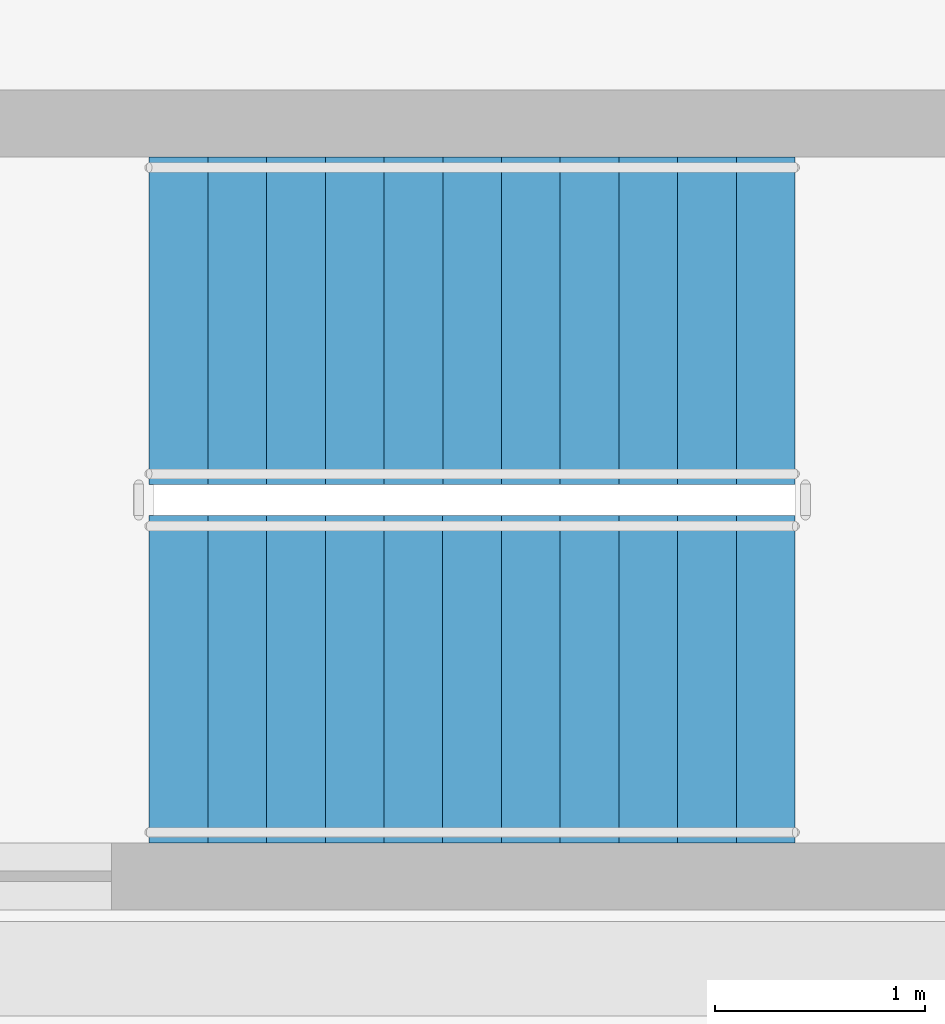
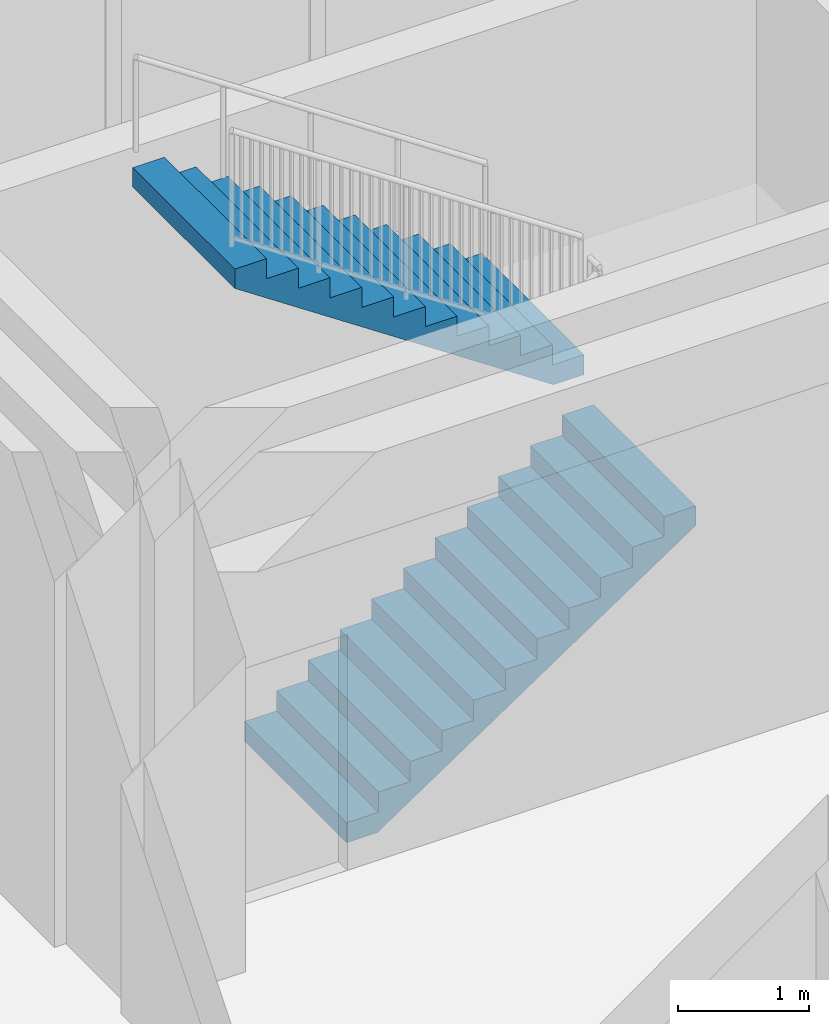
# One storey, part 64 of 79: 2 stair flights, 1 element without a shape of its own.
"""IFC4 building model written with IfcOpenShell, lengths in metres."""

from ifc_helpers import new_model, si_unit, direction, frame, origin, place, context, subcontext, project, spatial, polygons, material, type_object, element, aggregate, save


model = new_model("IFC4")

# Units and contexts
model_context = context("Model", 3, precision=1e-05, world=origin(), true_north=direction((0.0, 1.0)))
body_context = subcontext(model_context, "Body", "Model", "MODEL_VIEW")
ifc_project = project(units=[si_unit("LENGTHUNIT", "METRE"), si_unit("AREAUNIT", "SQUARE_METRE"), si_unit("VOLUMEUNIT", "CUBIC_METRE"), si_unit("PLANEANGLEUNIT", "RADIAN"), si_unit("MASSUNIT", "GRAM", prefix="KILO")], contexts=[model_context])

# Site, building, storey
site_placement = place(None, origin())
site = spatial("IfcSite", under=ifc_project, at=site_placement, CompositionType="ELEMENT")
building_placement = place(site_placement, origin())
building = spatial("IfcBuilding", under=site, at=building_placement, Name="Zantavel Square City Hall", CompositionType="ELEMENT")
storey_placement = place(building_placement, frame((0.0, 0.0, 10.199951171875)))
storey = spatial("IfcBuildingStorey", under=building, at=storey_placement, Name="L03", CompositionType="ELEMENT", Elevation=10.199951171875)

# Stair, stair flights
ifc_material = material(Name="Concrete C35/45", Category="concrete")
stair_type = type_object("IfcStairType", Name="Enclosed Core Dogleg Stair L03 H4500", PredefinedType="HALF_TURN_STAIR", material=ifc_material)
stair_placement = place(storey_placement, origin())
stair = element("IfcStair", 1, at=stair_placement, inside=storey, type_object=stair_type, Name="L03 Exit Stair 5 Central West Core", PredefinedType="HALF_TURN_STAIR")
stair_flight_type = type_object("IfcStairFlightType", Name="Enclosed Core Stair Flight L03 W1560", PredefinedType="STRAIGHT", material=ifc_material)
stair_flight_1_placement = place(storey_placement, frame((66.030029296875, 62.179931640625, 0.0), z_axis=(0.0, 0.0, 1.0), x_axis=(1.0, 0.0, 0.0)))
stair_flight_1 = element("IfcStairFlight", 2, at=stair_flight_1_placement, type_object=stair_flight_type, Name="ST5 flight 1", NumberOfRisers=12, NumberOfTreads=11, PredefinedType="STRAIGHT", RiserHeight=0.1875, TreadLength=0.28, context=body_context, shape_type="Tessellation", body=[
    polygons([(0.26953125, -0.780029296875, 0.0), (3.080078125, -0.780029296875, 1.882080078125), (3.080078125, -0.780029296875, 2.0625), (2.800048828125, -0.780029296875, 2.0625), (2.800048828125, -0.780029296875, 1.875), (2.52001953125, -0.780029296875, 1.875), (2.52001953125, -0.780029296875, 1.6875), (2.239990234375, -0.780029296875, 1.6875), (2.239990234375, -0.780029296875, 1.5), (1.9599609375, -0.780029296875, 1.5), (1.9599609375, -0.780029296875, 1.3125), (1.679931640625, -0.780029296875, 1.3125), (1.679931640625, -0.780029296875, 1.125), (1.39990234375, -0.780029296875, 1.125), (1.39990234375, -0.780029296875, 0.9375), (1.1201171875, -0.780029296875, 0.9375), (1.1201171875, -0.780029296875, 0.75), (0.840087890625, -0.780029296875, 0.75), (0.840087890625, -0.780029296875, 0.5625), (0.56005859375, -0.780029296875, 0.5625), (0.56005859375, -0.780029296875, 0.375), (0.280029296875, -0.780029296875, 0.375), (0.280029296875, -0.780029296875, 0.1875), (0.0, -0.780029296875, 0.1875), (0.0, -0.780029296875, 0.0), (0.26953125, -0.5849609375, 0.0), (3.080078125, -0.5849609375, 1.882080078125), (3.080078125, -0.5849609375, 2.0625), (2.800048828125, -0.5849609375, 2.0625), (2.800048828125, -0.5849609375, 1.875), (2.52001953125, -0.5849609375, 1.875), (2.52001953125, -0.5849609375, 1.6875), (2.239990234375, -0.5849609375, 1.6875), (2.239990234375, -0.5849609375, 1.5), (1.9599609375, -0.5849609375, 1.5), (1.9599609375, -0.5849609375, 1.3125), (1.679931640625, -0.5849609375, 1.3125), (1.679931640625, -0.5849609375, 1.125), (1.39990234375, -0.5849609375, 1.125), (1.39990234375, -0.5849609375, 0.9375), (1.1201171875, -0.5849609375, 0.9375), (1.1201171875, -0.5849609375, 0.75), (0.840087890625, -0.5849609375, 0.75), (0.840087890625, -0.5849609375, 0.5625), (0.56005859375, -0.5849609375, 0.5625), (0.56005859375, -0.5849609375, 0.375), (0.280029296875, -0.5849609375, 0.375), (0.280029296875, -0.5849609375, 0.1875), (0.0, -0.5849609375, 0.1875), (0.0, -0.5849609375, 0.0), (0.26953125, -0.39013671875, 0.0), (3.080078125, -0.39013671875, 1.882080078125), (3.080078125, -0.39013671875, 2.0625), (2.800048828125, -0.39013671875, 2.0625), (2.800048828125, -0.39013671875, 1.875), (2.52001953125, -0.39013671875, 1.875), (2.52001953125, -0.39013671875, 1.6875), (2.239990234375, -0.39013671875, 1.6875), (2.239990234375, -0.39013671875, 1.5), (1.9599609375, -0.39013671875, 1.5), (1.9599609375, -0.39013671875, 1.3125), (1.679931640625, -0.39013671875, 1.3125), (1.679931640625, -0.39013671875, 1.125), (1.39990234375, -0.39013671875, 1.125), (1.39990234375, -0.39013671875, 0.9375), (1.1201171875, -0.39013671875, 0.9375), (1.1201171875, -0.39013671875, 0.75), (0.840087890625, -0.39013671875, 0.75), (0.840087890625, -0.39013671875, 0.5625), (0.56005859375, -0.39013671875, 0.5625), (0.56005859375, -0.39013671875, 0.375), (0.280029296875, -0.39013671875, 0.375), (0.280029296875, -0.39013671875, 0.1875), (0.0, -0.39013671875, 0.1875), (0.0, -0.39013671875, 0.0), (0.26953125, -0.195068359375, 0.0), (3.080078125, -0.195068359375, 1.882080078125), (3.080078125, -0.195068359375, 2.0625), (2.800048828125, -0.195068359375, 2.0625), (2.800048828125, -0.195068359375, 1.875), (2.52001953125, -0.195068359375, 1.875), (2.52001953125, -0.195068359375, 1.6875), (2.239990234375, -0.195068359375, 1.6875), (2.239990234375, -0.195068359375, 1.5), (1.9599609375, -0.195068359375, 1.5), (1.9599609375, -0.195068359375, 1.3125), (1.679931640625, -0.195068359375, 1.3125), (1.679931640625, -0.195068359375, 1.125), (1.39990234375, -0.195068359375, 1.125), (1.39990234375, -0.195068359375, 0.9375), (1.1201171875, -0.195068359375, 0.9375), (1.1201171875, -0.195068359375, 0.75), (0.840087890625, -0.195068359375, 0.75), (0.840087890625, -0.195068359375, 0.5625), (0.56005859375, -0.195068359375, 0.5625), (0.56005859375, -0.195068359375, 0.375), (0.280029296875, -0.195068359375, 0.375), (0.280029296875, -0.195068359375, 0.1875), (0.0, -0.195068359375, 0.1875), (0.0, -0.195068359375, 0.0), (0.26953125, 0.0, 0.0), (3.080078125, 0.0, 1.882080078125), (3.080078125, 0.0, 2.0625), (2.800048828125, 0.0, 2.0625), (2.800048828125, 0.0, 1.875), (2.52001953125, 0.0, 1.875), (2.52001953125, 0.0, 1.6875), (2.239990234375, 0.0, 1.6875), (2.239990234375, 0.0, 1.5), (1.9599609375, 0.0, 1.5), (1.9599609375, 0.0, 1.3125), (1.679931640625, 0.0, 1.3125), (1.679931640625, 0.0, 1.125), (1.39990234375, 0.0, 1.125), (1.39990234375, 0.0, 0.9375), (1.1201171875, 0.0, 0.9375), (1.1201171875, 0.0, 0.75), (0.840087890625, 0.0, 0.75), (0.840087890625, 0.0, 0.5625), (0.56005859375, 0.0, 0.5625), (0.56005859375, 0.0, 0.375), (0.280029296875, 0.0, 0.375), (0.280029296875, 0.0, 0.1875), (0.0, 0.0, 0.1875), (0.0, 0.0, 0.0), (0.26953125, 0.195068359375, 0.0), (3.080078125, 0.195068359375, 1.882080078125), (3.080078125, 0.195068359375, 2.0625), (2.800048828125, 0.195068359375, 2.0625), (2.800048828125, 0.195068359375, 1.875), (2.52001953125, 0.195068359375, 1.875), (2.52001953125, 0.195068359375, 1.6875), (2.239990234375, 0.195068359375, 1.6875), (2.239990234375, 0.195068359375, 1.5), (1.9599609375, 0.195068359375, 1.5), (1.9599609375, 0.195068359375, 1.3125), (1.679931640625, 0.195068359375, 1.3125), (1.679931640625, 0.195068359375, 1.125), (1.39990234375, 0.195068359375, 1.125), (1.39990234375, 0.195068359375, 0.9375), (1.1201171875, 0.195068359375, 0.9375), (1.1201171875, 0.195068359375, 0.75), (0.840087890625, 0.195068359375, 0.75), (0.840087890625, 0.195068359375, 0.5625), (0.56005859375, 0.195068359375, 0.5625), (0.56005859375, 0.195068359375, 0.375), (0.280029296875, 0.195068359375, 0.375), (0.280029296875, 0.195068359375, 0.1875), (0.0, 0.195068359375, 0.1875), (0.0, 0.195068359375, 0.0), (0.26953125, 0.39013671875, 0.0), (3.080078125, 0.39013671875, 1.882080078125), (3.080078125, 0.39013671875, 2.0625), (2.800048828125, 0.39013671875, 2.0625), (2.800048828125, 0.39013671875, 1.875), (2.52001953125, 0.39013671875, 1.875), (2.52001953125, 0.39013671875, 1.6875), (2.239990234375, 0.39013671875, 1.6875), (2.239990234375, 0.39013671875, 1.5), (1.9599609375, 0.39013671875, 1.5), (1.9599609375, 0.39013671875, 1.3125), (1.679931640625, 0.39013671875, 1.3125), (1.679931640625, 0.39013671875, 1.125), (1.39990234375, 0.39013671875, 1.125), (1.39990234375, 0.39013671875, 0.9375), (1.1201171875, 0.39013671875, 0.9375), (1.1201171875, 0.39013671875, 0.75), (0.840087890625, 0.39013671875, 0.75), (0.840087890625, 0.39013671875, 0.5625), (0.56005859375, 0.39013671875, 0.5625), (0.56005859375, 0.39013671875, 0.375), (0.280029296875, 0.39013671875, 0.375), (0.280029296875, 0.39013671875, 0.1875), (0.0, 0.39013671875, 0.1875), (0.0, 0.39013671875, 0.0), (0.26953125, 0.5849609375, 0.0), (3.080078125, 0.5849609375, 1.882080078125), (3.080078125, 0.5849609375, 2.0625), (2.800048828125, 0.5849609375, 2.0625), (2.800048828125, 0.5849609375, 1.875), (2.52001953125, 0.5849609375, 1.875), (2.52001953125, 0.5849609375, 1.6875), (2.239990234375, 0.5849609375, 1.6875), (2.239990234375, 0.5849609375, 1.5), (1.9599609375, 0.5849609375, 1.5), (1.9599609375, 0.5849609375, 1.3125), (1.679931640625, 0.5849609375, 1.3125), (1.679931640625, 0.5849609375, 1.125), (1.39990234375, 0.5849609375, 1.125), (1.39990234375, 0.5849609375, 0.9375), (1.1201171875, 0.5849609375, 0.9375), (1.1201171875, 0.5849609375, 0.75), (0.840087890625, 0.5849609375, 0.75), (0.840087890625, 0.5849609375, 0.5625), (0.56005859375, 0.5849609375, 0.5625), (0.56005859375, 0.5849609375, 0.375), (0.280029296875, 0.5849609375, 0.375), (0.280029296875, 0.5849609375, 0.1875), (0.0, 0.5849609375, 0.1875), (0.0, 0.5849609375, 0.0), (0.26953125, 0.780029296875, 0.0), (3.080078125, 0.780029296875, 1.882080078125), (3.080078125, 0.780029296875, 2.0625), (2.800048828125, 0.780029296875, 2.0625), (2.800048828125, 0.780029296875, 1.875), (2.52001953125, 0.780029296875, 1.875), (2.52001953125, 0.780029296875, 1.6875), (2.239990234375, 0.780029296875, 1.6875), (2.239990234375, 0.780029296875, 1.5), (1.9599609375, 0.780029296875, 1.5), (1.9599609375, 0.780029296875, 1.3125), (1.679931640625, 0.780029296875, 1.3125), (1.679931640625, 0.780029296875, 1.125), (1.39990234375, 0.780029296875, 1.125), (1.39990234375, 0.780029296875, 0.9375), (1.1201171875, 0.780029296875, 0.9375), (1.1201171875, 0.780029296875, 0.75), (0.840087890625, 0.780029296875, 0.75), (0.840087890625, 0.780029296875, 0.5625), (0.56005859375, 0.780029296875, 0.5625), (0.56005859375, 0.780029296875, 0.375), (0.280029296875, 0.780029296875, 0.375), (0.280029296875, 0.780029296875, 0.1875), (0.0, 0.780029296875, 0.1875), (0.0, 0.780029296875, 0.0)], [[[1, 2, 3, 4, 5, 6, 7, 8, 9, 10, 11, 12, 13, 14, 15, 16, 17, 18, 19, 20, 21, 22, 23, 24, 25]], [[225, 224, 223, 222, 221, 220, 219, 218, 217, 216, 215, 214, 213, 212, 211, 210, 209, 208, 207, 206, 205, 204, 203, 202, 201]], [[1, 26, 27]], [[1, 27, 2]], [[2, 27, 28]], [[2, 28, 3]], [[3, 28, 29]], [[3, 29, 4]], [[4, 29, 30]], [[4, 30, 5]], [[5, 30, 31]], [[5, 31, 6]], [[6, 31, 32]], [[6, 32, 7]], [[7, 32, 33]], [[7, 33, 8]], [[8, 33, 34]], [[8, 34, 9]], [[9, 34, 35]], [[9, 35, 10]], [[10, 35, 36]], [[10, 36, 11]], [[11, 36, 37]], [[11, 37, 12]], [[12, 37, 38]], [[12, 38, 13]], [[13, 38, 39]], [[13, 39, 14]], [[14, 39, 40]], [[14, 40, 15]], [[15, 40, 41]], [[15, 41, 16]], [[16, 41, 42]], [[16, 42, 17]], [[17, 42, 43]], [[17, 43, 18]], [[18, 43, 44]], [[18, 44, 19]], [[19, 44, 45]], [[19, 45, 20]], [[20, 45, 46]], [[20, 46, 21]], [[21, 46, 47]], [[21, 47, 22]], [[22, 47, 48]], [[22, 48, 23]], [[23, 48, 49]], [[23, 49, 24]], [[24, 49, 50]], [[24, 50, 25]], [[25, 50, 26]], [[25, 26, 1]], [[26, 51, 52]], [[26, 52, 27]], [[27, 52, 53]], [[27, 53, 28]], [[28, 53, 54]], [[28, 54, 29]], [[29, 54, 55]], [[29, 55, 30]], [[30, 55, 56]], [[30, 56, 31]], [[31, 56, 57]], [[31, 57, 32]], [[32, 57, 58]], [[32, 58, 33]], [[33, 58, 59]], [[33, 59, 34]], [[34, 59, 60]], [[34, 60, 35]], [[35, 60, 61]], [[35, 61, 36]], [[36, 61, 62]], [[36, 62, 37]], [[37, 62, 63]], [[37, 63, 38]], [[38, 63, 64]], [[38, 64, 39]], [[39, 64, 65]], [[39, 65, 40]], [[40, 65, 66]], [[40, 66, 41]], [[41, 66, 67]], [[41, 67, 42]], [[42, 67, 68]], [[42, 68, 43]], [[43, 68, 69]], [[43, 69, 44]], [[44, 69, 70]], [[44, 70, 45]], [[45, 70, 71]], [[45, 71, 46]], [[46, 71, 72]], [[46, 72, 47]], [[47, 72, 73]], [[47, 73, 48]], [[48, 73, 74]], [[48, 74, 49]], [[49, 74, 75]], [[49, 75, 50]], [[50, 75, 51]], [[50, 51, 26]], [[51, 76, 77]], [[51, 77, 52]], [[52, 77, 78]], [[52, 78, 53]], [[53, 78, 79]], [[53, 79, 54]], [[54, 79, 80]], [[54, 80, 55]], [[55, 80, 81]], [[55, 81, 56]], [[56, 81, 82]], [[56, 82, 57]], [[57, 82, 83]], [[57, 83, 58]], [[58, 83, 84]], [[58, 84, 59]], [[59, 84, 85]], [[59, 85, 60]], [[60, 85, 86]], [[60, 86, 61]], [[61, 86, 87]], [[61, 87, 62]], [[62, 87, 88]], [[62, 88, 63]], [[63, 88, 89]], [[63, 89, 64]], [[64, 89, 90]], [[64, 90, 65]], [[65, 90, 91]], [[65, 91, 66]], [[66, 91, 92]], [[66, 92, 67]], [[67, 92, 93]], [[67, 93, 68]], [[68, 93, 94]], [[68, 94, 69]], [[69, 94, 95]], [[69, 95, 70]], [[70, 95, 96]], [[70, 96, 71]], [[71, 96, 97]], [[71, 97, 72]], [[72, 97, 98]], [[72, 98, 73]], [[73, 98, 99]], [[73, 99, 74]], [[74, 99, 100]], [[74, 100, 75]], [[75, 100, 76]], [[75, 76, 51]], [[76, 101, 102]], [[76, 102, 77]], [[77, 102, 103]], [[77, 103, 78]], [[78, 103, 104]], [[78, 104, 79]], [[79, 104, 105]], [[79, 105, 80]], [[80, 105, 106]], [[80, 106, 81]], [[81, 106, 107]], [[81, 107, 82]], [[82, 107, 108]], [[82, 108, 83]], [[83, 108, 109]], [[83, 109, 84]], [[84, 109, 110]], [[84, 110, 85]], [[85, 110, 111]], [[85, 111, 86]], [[86, 111, 112]], [[86, 112, 87]], [[87, 112, 113]], [[87, 113, 88]], [[88, 113, 114]], [[88, 114, 89]], [[89, 114, 115]], [[89, 115, 90]], [[90, 115, 116]], [[90, 116, 91]], [[91, 116, 117]], [[91, 117, 92]], [[92, 117, 118]], [[92, 118, 93]], [[93, 118, 119]], [[93, 119, 94]], [[94, 119, 120]], [[94, 120, 95]], [[95, 120, 121]], [[95, 121, 96]], [[96, 121, 122]], [[96, 122, 97]], [[97, 122, 123]], [[97, 123, 98]], [[98, 123, 124]], [[98, 124, 99]], [[99, 124, 125]], [[99, 125, 100]], [[100, 125, 101]], [[100, 101, 76]], [[101, 126, 102]], [[126, 127, 102]], [[102, 127, 103]], [[127, 128, 103]], [[103, 128, 104]], [[128, 129, 104]], [[104, 129, 105]], [[129, 130, 105]], [[105, 130, 106]], [[130, 131, 106]], [[106, 131, 107]], [[131, 132, 107]], [[107, 132, 108]], [[132, 133, 108]], [[108, 133, 109]], [[133, 134, 109]], [[109, 134, 110]], [[134, 135, 110]], [[110, 135, 111]], [[135, 136, 111]], [[111, 136, 112]], [[136, 137, 112]], [[112, 137, 113]], [[137, 138, 113]], [[113, 138, 114]], [[138, 139, 114]], [[114, 139, 115]], [[139, 140, 115]], [[115, 140, 116]], [[140, 141, 116]], [[116, 141, 117]], [[141, 142, 117]], [[117, 142, 118]], [[142, 143, 118]], [[118, 143, 119]], [[143, 144, 119]], [[119, 144, 120]], [[144, 145, 120]], [[120, 145, 121]], [[145, 146, 121]], [[121, 146, 122]], [[146, 147, 122]], [[122, 147, 123]], [[147, 148, 123]], [[123, 148, 124]], [[148, 149, 124]], [[124, 149, 125]], [[149, 150, 125]], [[125, 150, 101]], [[150, 126, 101]], [[126, 151, 127]], [[151, 152, 127]], [[127, 152, 128]], [[152, 153, 128]], [[128, 153, 129]], [[153, 154, 129]], [[129, 154, 130]], [[154, 155, 130]], [[130, 155, 131]], [[155, 156, 131]], [[131, 156, 132]], [[156, 157, 132]], [[132, 157, 133]], [[157, 158, 133]], [[133, 158, 134]], [[158, 159, 134]], [[134, 159, 135]], [[159, 160, 135]], [[135, 160, 136]], [[160, 161, 136]], [[136, 161, 137]], [[161, 162, 137]], [[137, 162, 138]], [[162, 163, 138]], [[138, 163, 139]], [[163, 164, 139]], [[139, 164, 140]], [[164, 165, 140]], [[140, 165, 141]], [[165, 166, 141]], [[141, 166, 142]], [[166, 167, 142]], [[142, 167, 143]], [[167, 168, 143]], [[143, 168, 144]], [[168, 169, 144]], [[144, 169, 145]], [[169, 170, 145]], [[145, 170, 146]], [[170, 171, 146]], [[146, 171, 147]], [[171, 172, 147]], [[147, 172, 148]], [[172, 173, 148]], [[148, 173, 149]], [[173, 174, 149]], [[149, 174, 150]], [[174, 175, 150]], [[150, 175, 126]], [[175, 151, 126]], [[151, 176, 152]], [[176, 177, 152]], [[152, 177, 153]], [[177, 178, 153]], [[153, 178, 154]], [[178, 179, 154]], [[154, 179, 155]], [[179, 180, 155]], [[155, 180, 156]], [[180, 181, 156]], [[156, 181, 157]], [[181, 182, 157]], [[157, 182, 158]], [[182, 183, 158]], [[158, 183, 159]], [[183, 184, 159]], [[159, 184, 160]], [[184, 185, 160]], [[160, 185, 161]], [[185, 186, 161]], [[161, 186, 162]], [[186, 187, 162]], [[162, 187, 163]], [[187, 188, 163]], [[163, 188, 164]], [[188, 189, 164]], [[164, 189, 165]], [[189, 190, 165]], [[165, 190, 166]], [[190, 191, 166]], [[166, 191, 167]], [[191, 192, 167]], [[167, 192, 168]], [[192, 193, 168]], [[168, 193, 169]], [[193, 194, 169]], [[169, 194, 170]], [[194, 195, 170]], [[170, 195, 171]], [[195, 196, 171]], [[171, 196, 172]], [[196, 197, 172]], [[172, 197, 173]], [[197, 198, 173]], [[173, 198, 174]], [[198, 199, 174]], [[174, 199, 175]], [[199, 200, 175]], [[175, 200, 151]], [[200, 176, 151]], [[176, 201, 177]], [[201, 202, 177]], [[177, 202, 178]], [[202, 203, 178]], [[178, 203, 179]], [[203, 204, 179]], [[179, 204, 180]], [[204, 205, 180]], [[180, 205, 181]], [[205, 206, 181]], [[181, 206, 182]], [[206, 207, 182]], [[182, 207, 183]], [[207, 208, 183]], [[183, 208, 184]], [[208, 209, 184]], [[184, 209, 185]], [[209, 210, 185]], [[185, 210, 186]], [[210, 211, 186]], [[186, 211, 187]], [[211, 212, 187]], [[187, 212, 188]], [[212, 213, 188]], [[188, 213, 189]], [[213, 214, 189]], [[189, 214, 190]], [[214, 215, 190]], [[190, 215, 191]], [[215, 216, 191]], [[191, 216, 192]], [[216, 217, 192]], [[192, 217, 193]], [[217, 218, 193]], [[193, 218, 194]], [[218, 219, 194]], [[194, 219, 195]], [[219, 220, 195]], [[195, 220, 196]], [[220, 221, 196]], [[196, 221, 197]], [[221, 222, 197]], [[197, 222, 198]], [[222, 223, 198]], [[198, 223, 199]], [[223, 224, 199]], [[199, 224, 200]], [[224, 225, 200]], [[200, 225, 176]], [[225, 201, 176]]], closed=True),
])
stair_flight_2_placement = place(storey_placement, frame((69.110107421875, 63.889892578125, 2.25), z_axis=(0.0, 0.0, 1.0), x_axis=(-1.0, 0.0, 0.0)))
stair_flight_2 = element("IfcStairFlight", 3, at=stair_flight_2_placement, type_object=stair_flight_type, Name="ST5 flight 2", NumberOfRisers=12, NumberOfTreads=11, PredefinedType="STRAIGHT", RiserHeight=0.1875, TreadLength=0.28, context=body_context, shape_type="Tessellation", body=[
    polygons([(0.26953125, -0.780029296875, 0.0), (3.080078125, -0.780029296875, 1.882080078125), (3.080078125, -0.780029296875, 2.0625), (2.800048828125, -0.780029296875, 2.0625), (2.800048828125, -0.780029296875, 1.875), (2.52001953125, -0.780029296875, 1.875), (2.52001953125, -0.780029296875, 1.6875), (2.239990234375, -0.780029296875, 1.6875), (2.239990234375, -0.780029296875, 1.5), (1.9599609375, -0.780029296875, 1.5), (1.9599609375, -0.780029296875, 1.3125), (1.679931640625, -0.780029296875, 1.3125), (1.679931640625, -0.780029296875, 1.125), (1.39990234375, -0.780029296875, 1.125), (1.39990234375, -0.780029296875, 0.9375), (1.1201171875, -0.780029296875, 0.9375), (1.1201171875, -0.780029296875, 0.75), (0.840087890625, -0.780029296875, 0.75), (0.840087890625, -0.780029296875, 0.5625), (0.56005859375, -0.780029296875, 0.5625), (0.56005859375, -0.780029296875, 0.375), (0.280029296875, -0.780029296875, 0.375), (0.280029296875, -0.780029296875, 0.1875), (0.0, -0.780029296875, 0.1875), (0.0, -0.780029296875, 0.0), (0.26953125, -0.5849609375, 0.0), (3.080078125, -0.5849609375, 1.882080078125), (3.080078125, -0.5849609375, 2.0625), (2.800048828125, -0.5849609375, 2.0625), (2.800048828125, -0.5849609375, 1.875), (2.52001953125, -0.5849609375, 1.875), (2.52001953125, -0.5849609375, 1.6875), (2.239990234375, -0.5849609375, 1.6875), (2.239990234375, -0.5849609375, 1.5), (1.9599609375, -0.5849609375, 1.5), (1.9599609375, -0.5849609375, 1.3125), (1.679931640625, -0.5849609375, 1.3125), (1.679931640625, -0.5849609375, 1.125), (1.39990234375, -0.5849609375, 1.125), (1.39990234375, -0.5849609375, 0.9375), (1.1201171875, -0.5849609375, 0.9375), (1.1201171875, -0.5849609375, 0.75), (0.840087890625, -0.5849609375, 0.75), (0.840087890625, -0.5849609375, 0.5625), (0.56005859375, -0.5849609375, 0.5625), (0.56005859375, -0.5849609375, 0.375), (0.280029296875, -0.5849609375, 0.375), (0.280029296875, -0.5849609375, 0.1875), (0.0, -0.5849609375, 0.1875), (0.0, -0.5849609375, 0.0), (0.26953125, -0.39013671875, 0.0), (3.080078125, -0.39013671875, 1.882080078125), (3.080078125, -0.39013671875, 2.0625), (2.800048828125, -0.39013671875, 2.0625), (2.800048828125, -0.39013671875, 1.875), (2.52001953125, -0.39013671875, 1.875), (2.52001953125, -0.39013671875, 1.6875), (2.239990234375, -0.39013671875, 1.6875), (2.239990234375, -0.39013671875, 1.5), (1.9599609375, -0.39013671875, 1.5), (1.9599609375, -0.39013671875, 1.3125), (1.679931640625, -0.39013671875, 1.3125), (1.679931640625, -0.39013671875, 1.125), (1.39990234375, -0.39013671875, 1.125), (1.39990234375, -0.39013671875, 0.9375), (1.1201171875, -0.39013671875, 0.9375), (1.1201171875, -0.39013671875, 0.75), (0.840087890625, -0.39013671875, 0.75), (0.840087890625, -0.39013671875, 0.5625), (0.56005859375, -0.39013671875, 0.5625), (0.56005859375, -0.39013671875, 0.375), (0.280029296875, -0.39013671875, 0.375), (0.280029296875, -0.39013671875, 0.1875), (0.0, -0.39013671875, 0.1875), (0.0, -0.39013671875, 0.0), (0.26953125, -0.195068359375, 0.0), (3.080078125, -0.195068359375, 1.882080078125), (3.080078125, -0.195068359375, 2.0625), (2.800048828125, -0.195068359375, 2.0625), (2.800048828125, -0.195068359375, 1.875), (2.52001953125, -0.195068359375, 1.875), (2.52001953125, -0.195068359375, 1.6875), (2.239990234375, -0.195068359375, 1.6875), (2.239990234375, -0.195068359375, 1.5), (1.9599609375, -0.195068359375, 1.5), (1.9599609375, -0.195068359375, 1.3125), (1.679931640625, -0.195068359375, 1.3125), (1.679931640625, -0.195068359375, 1.125), (1.39990234375, -0.195068359375, 1.125), (1.39990234375, -0.195068359375, 0.9375), (1.1201171875, -0.195068359375, 0.9375), (1.1201171875, -0.195068359375, 0.75), (0.840087890625, -0.195068359375, 0.75), (0.840087890625, -0.195068359375, 0.5625), (0.56005859375, -0.195068359375, 0.5625), (0.56005859375, -0.195068359375, 0.375), (0.280029296875, -0.195068359375, 0.375), (0.280029296875, -0.195068359375, 0.1875), (0.0, -0.195068359375, 0.1875), (0.0, -0.195068359375, 0.0), (0.26953125, 0.0, 0.0), (3.080078125, 0.0, 1.882080078125), (3.080078125, 0.0, 2.0625), (2.800048828125, 0.0, 2.0625), (2.800048828125, 0.0, 1.875), (2.52001953125, 0.0, 1.875), (2.52001953125, 0.0, 1.6875), (2.239990234375, 0.0, 1.6875), (2.239990234375, 0.0, 1.5), (1.9599609375, 0.0, 1.5), (1.9599609375, 0.0, 1.3125), (1.679931640625, 0.0, 1.3125), (1.679931640625, 0.0, 1.125), (1.39990234375, 0.0, 1.125), (1.39990234375, 0.0, 0.9375), (1.1201171875, 0.0, 0.9375), (1.1201171875, 0.0, 0.75), (0.840087890625, 0.0, 0.75), (0.840087890625, 0.0, 0.5625), (0.56005859375, 0.0, 0.5625), (0.56005859375, 0.0, 0.375), (0.280029296875, 0.0, 0.375), (0.280029296875, 0.0, 0.1875), (0.0, 0.0, 0.1875), (0.0, 0.0, 0.0), (0.26953125, 0.195068359375, 0.0), (3.080078125, 0.195068359375, 1.882080078125), (3.080078125, 0.195068359375, 2.0625), (2.800048828125, 0.195068359375, 2.0625), (2.800048828125, 0.195068359375, 1.875), (2.52001953125, 0.195068359375, 1.875), (2.52001953125, 0.195068359375, 1.6875), (2.239990234375, 0.195068359375, 1.6875), (2.239990234375, 0.195068359375, 1.5), (1.9599609375, 0.195068359375, 1.5), (1.9599609375, 0.195068359375, 1.3125), (1.679931640625, 0.195068359375, 1.3125), (1.679931640625, 0.195068359375, 1.125), (1.39990234375, 0.195068359375, 1.125), (1.39990234375, 0.195068359375, 0.9375), (1.1201171875, 0.195068359375, 0.9375), (1.1201171875, 0.195068359375, 0.75), (0.840087890625, 0.195068359375, 0.75), (0.840087890625, 0.195068359375, 0.5625), (0.56005859375, 0.195068359375, 0.5625), (0.56005859375, 0.195068359375, 0.375), (0.280029296875, 0.195068359375, 0.375), (0.280029296875, 0.195068359375, 0.1875), (0.0, 0.195068359375, 0.1875), (0.0, 0.195068359375, 0.0), (0.26953125, 0.39013671875, 0.0), (3.080078125, 0.39013671875, 1.882080078125), (3.080078125, 0.39013671875, 2.0625), (2.800048828125, 0.39013671875, 2.0625), (2.800048828125, 0.39013671875, 1.875), (2.52001953125, 0.39013671875, 1.875), (2.52001953125, 0.39013671875, 1.6875), (2.239990234375, 0.39013671875, 1.6875), (2.239990234375, 0.39013671875, 1.5), (1.9599609375, 0.39013671875, 1.5), (1.9599609375, 0.39013671875, 1.3125), (1.679931640625, 0.39013671875, 1.3125), (1.679931640625, 0.39013671875, 1.125), (1.39990234375, 0.39013671875, 1.125), (1.39990234375, 0.39013671875, 0.9375), (1.1201171875, 0.39013671875, 0.9375), (1.1201171875, 0.39013671875, 0.75), (0.840087890625, 0.39013671875, 0.75), (0.840087890625, 0.39013671875, 0.5625), (0.56005859375, 0.39013671875, 0.5625), (0.56005859375, 0.39013671875, 0.375), (0.280029296875, 0.39013671875, 0.375), (0.280029296875, 0.39013671875, 0.1875), (0.0, 0.39013671875, 0.1875), (0.0, 0.39013671875, 0.0), (0.26953125, 0.5849609375, 0.0), (3.080078125, 0.5849609375, 1.882080078125), (3.080078125, 0.5849609375, 2.0625), (2.800048828125, 0.5849609375, 2.0625), (2.800048828125, 0.5849609375, 1.875), (2.52001953125, 0.5849609375, 1.875), (2.52001953125, 0.5849609375, 1.6875), (2.239990234375, 0.5849609375, 1.6875), (2.239990234375, 0.5849609375, 1.5), (1.9599609375, 0.5849609375, 1.5), (1.9599609375, 0.5849609375, 1.3125), (1.679931640625, 0.5849609375, 1.3125), (1.679931640625, 0.5849609375, 1.125), (1.39990234375, 0.5849609375, 1.125), (1.39990234375, 0.5849609375, 0.9375), (1.1201171875, 0.5849609375, 0.9375), (1.1201171875, 0.5849609375, 0.75), (0.840087890625, 0.5849609375, 0.75), (0.840087890625, 0.5849609375, 0.5625), (0.56005859375, 0.5849609375, 0.5625), (0.56005859375, 0.5849609375, 0.375), (0.280029296875, 0.5849609375, 0.375), (0.280029296875, 0.5849609375, 0.1875), (0.0, 0.5849609375, 0.1875), (0.0, 0.5849609375, 0.0), (0.26953125, 0.780029296875, 0.0), (3.080078125, 0.780029296875, 1.882080078125), (3.080078125, 0.780029296875, 2.0625), (2.800048828125, 0.780029296875, 2.0625), (2.800048828125, 0.780029296875, 1.875), (2.52001953125, 0.780029296875, 1.875), (2.52001953125, 0.780029296875, 1.6875), (2.239990234375, 0.780029296875, 1.6875), (2.239990234375, 0.780029296875, 1.5), (1.9599609375, 0.780029296875, 1.5), (1.9599609375, 0.780029296875, 1.3125), (1.679931640625, 0.780029296875, 1.3125), (1.679931640625, 0.780029296875, 1.125), (1.39990234375, 0.780029296875, 1.125), (1.39990234375, 0.780029296875, 0.9375), (1.1201171875, 0.780029296875, 0.9375), (1.1201171875, 0.780029296875, 0.75), (0.840087890625, 0.780029296875, 0.75), (0.840087890625, 0.780029296875, 0.5625), (0.56005859375, 0.780029296875, 0.5625), (0.56005859375, 0.780029296875, 0.375), (0.280029296875, 0.780029296875, 0.375), (0.280029296875, 0.780029296875, 0.1875), (0.0, 0.780029296875, 0.1875), (0.0, 0.780029296875, 0.0)], [[[1, 2, 3, 4, 5, 6, 7, 8, 9, 10, 11, 12, 13, 14, 15, 16, 17, 18, 19, 20, 21, 22, 23, 24, 25]], [[225, 224, 223, 222, 221, 220, 219, 218, 217, 216, 215, 214, 213, 212, 211, 210, 209, 208, 207, 206, 205, 204, 203, 202, 201]], [[1, 26, 27]], [[1, 27, 2]], [[2, 27, 28]], [[2, 28, 3]], [[3, 28, 29]], [[3, 29, 4]], [[4, 29, 30]], [[4, 30, 5]], [[5, 30, 31]], [[5, 31, 6]], [[6, 31, 32]], [[6, 32, 7]], [[7, 32, 33]], [[7, 33, 8]], [[8, 33, 34]], [[8, 34, 9]], [[9, 34, 35]], [[9, 35, 10]], [[10, 35, 36]], [[10, 36, 11]], [[11, 36, 37]], [[11, 37, 12]], [[12, 37, 38]], [[12, 38, 13]], [[13, 38, 39]], [[13, 39, 14]], [[14, 39, 40]], [[14, 40, 15]], [[15, 40, 41]], [[15, 41, 16]], [[16, 41, 42]], [[16, 42, 17]], [[17, 42, 43]], [[17, 43, 18]], [[18, 43, 44]], [[18, 44, 19]], [[19, 44, 45]], [[19, 45, 20]], [[20, 45, 46]], [[20, 46, 21]], [[21, 46, 47]], [[21, 47, 22]], [[22, 47, 48]], [[22, 48, 23]], [[23, 48, 49]], [[23, 49, 24]], [[24, 49, 50]], [[24, 50, 25]], [[25, 50, 26]], [[25, 26, 1]], [[26, 51, 52]], [[26, 52, 27]], [[27, 52, 53]], [[27, 53, 28]], [[28, 53, 54]], [[28, 54, 29]], [[29, 54, 55]], [[29, 55, 30]], [[30, 55, 56]], [[30, 56, 31]], [[31, 56, 57]], [[31, 57, 32]], [[32, 57, 58]], [[32, 58, 33]], [[33, 58, 59]], [[33, 59, 34]], [[34, 59, 60]], [[34, 60, 35]], [[35, 60, 61]], [[35, 61, 36]], [[36, 61, 62]], [[36, 62, 37]], [[37, 62, 63]], [[37, 63, 38]], [[38, 63, 64]], [[38, 64, 39]], [[39, 64, 65]], [[39, 65, 40]], [[40, 65, 66]], [[40, 66, 41]], [[41, 66, 67]], [[41, 67, 42]], [[42, 67, 68]], [[42, 68, 43]], [[43, 68, 69]], [[43, 69, 44]], [[44, 69, 70]], [[44, 70, 45]], [[45, 70, 71]], [[45, 71, 46]], [[46, 71, 72]], [[46, 72, 47]], [[47, 72, 73]], [[47, 73, 48]], [[48, 73, 74]], [[48, 74, 49]], [[49, 74, 75]], [[49, 75, 50]], [[50, 75, 51]], [[50, 51, 26]], [[51, 76, 77]], [[51, 77, 52]], [[52, 77, 78]], [[52, 78, 53]], [[53, 78, 79]], [[53, 79, 54]], [[54, 79, 80]], [[54, 80, 55]], [[55, 80, 81]], [[55, 81, 56]], [[56, 81, 82]], [[56, 82, 57]], [[57, 82, 83]], [[57, 83, 58]], [[58, 83, 84]], [[58, 84, 59]], [[59, 84, 85]], [[59, 85, 60]], [[60, 85, 86]], [[60, 86, 61]], [[61, 86, 87]], [[61, 87, 62]], [[62, 87, 88]], [[62, 88, 63]], [[63, 88, 89]], [[63, 89, 64]], [[64, 89, 90]], [[64, 90, 65]], [[65, 90, 91]], [[65, 91, 66]], [[66, 91, 92]], [[66, 92, 67]], [[67, 92, 93]], [[67, 93, 68]], [[68, 93, 94]], [[68, 94, 69]], [[69, 94, 95]], [[69, 95, 70]], [[70, 95, 96]], [[70, 96, 71]], [[71, 96, 97]], [[71, 97, 72]], [[72, 97, 98]], [[72, 98, 73]], [[73, 98, 99]], [[73, 99, 74]], [[74, 99, 100]], [[74, 100, 75]], [[75, 100, 76]], [[75, 76, 51]], [[76, 101, 102]], [[76, 102, 77]], [[77, 102, 103]], [[77, 103, 78]], [[78, 103, 104]], [[78, 104, 79]], [[79, 104, 105]], [[79, 105, 80]], [[80, 105, 106]], [[80, 106, 81]], [[81, 106, 107]], [[81, 107, 82]], [[82, 107, 108]], [[82, 108, 83]], [[83, 108, 109]], [[83, 109, 84]], [[84, 109, 110]], [[84, 110, 85]], [[85, 110, 111]], [[85, 111, 86]], [[86, 111, 112]], [[86, 112, 87]], [[87, 112, 113]], [[87, 113, 88]], [[88, 113, 114]], [[88, 114, 89]], [[89, 114, 115]], [[89, 115, 90]], [[90, 115, 116]], [[90, 116, 91]], [[91, 116, 117]], [[91, 117, 92]], [[92, 117, 118]], [[92, 118, 93]], [[93, 118, 119]], [[93, 119, 94]], [[94, 119, 120]], [[94, 120, 95]], [[95, 120, 121]], [[95, 121, 96]], [[96, 121, 122]], [[96, 122, 97]], [[97, 122, 123]], [[97, 123, 98]], [[98, 123, 124]], [[98, 124, 99]], [[99, 124, 125]], [[99, 125, 100]], [[100, 125, 101]], [[100, 101, 76]], [[101, 126, 102]], [[126, 127, 102]], [[102, 127, 103]], [[127, 128, 103]], [[103, 128, 104]], [[128, 129, 104]], [[104, 129, 105]], [[129, 130, 105]], [[105, 130, 106]], [[130, 131, 106]], [[106, 131, 107]], [[131, 132, 107]], [[107, 132, 108]], [[132, 133, 108]], [[108, 133, 109]], [[133, 134, 109]], [[109, 134, 110]], [[134, 135, 110]], [[110, 135, 111]], [[135, 136, 111]], [[111, 136, 112]], [[136, 137, 112]], [[112, 137, 113]], [[137, 138, 113]], [[113, 138, 114]], [[138, 139, 114]], [[114, 139, 115]], [[139, 140, 115]], [[115, 140, 116]], [[140, 141, 116]], [[116, 141, 117]], [[141, 142, 117]], [[117, 142, 118]], [[142, 143, 118]], [[118, 143, 119]], [[143, 144, 119]], [[119, 144, 120]], [[144, 145, 120]], [[120, 145, 121]], [[145, 146, 121]], [[121, 146, 122]], [[146, 147, 122]], [[122, 147, 123]], [[147, 148, 123]], [[123, 148, 124]], [[148, 149, 124]], [[124, 149, 125]], [[149, 150, 125]], [[125, 150, 101]], [[150, 126, 101]], [[126, 151, 127]], [[151, 152, 127]], [[127, 152, 128]], [[152, 153, 128]], [[128, 153, 129]], [[153, 154, 129]], [[129, 154, 130]], [[154, 155, 130]], [[130, 155, 131]], [[155, 156, 131]], [[131, 156, 132]], [[156, 157, 132]], [[132, 157, 133]], [[157, 158, 133]], [[133, 158, 134]], [[158, 159, 134]], [[134, 159, 135]], [[159, 160, 135]], [[135, 160, 136]], [[160, 161, 136]], [[136, 161, 137]], [[161, 162, 137]], [[137, 162, 138]], [[162, 163, 138]], [[138, 163, 139]], [[163, 164, 139]], [[139, 164, 140]], [[164, 165, 140]], [[140, 165, 141]], [[165, 166, 141]], [[141, 166, 142]], [[166, 167, 142]], [[142, 167, 143]], [[167, 168, 143]], [[143, 168, 144]], [[168, 169, 144]], [[144, 169, 145]], [[169, 170, 145]], [[145, 170, 146]], [[170, 171, 146]], [[146, 171, 147]], [[171, 172, 147]], [[147, 172, 148]], [[172, 173, 148]], [[148, 173, 149]], [[173, 174, 149]], [[149, 174, 150]], [[174, 175, 150]], [[150, 175, 126]], [[175, 151, 126]], [[151, 176, 152]], [[176, 177, 152]], [[152, 177, 153]], [[177, 178, 153]], [[153, 178, 154]], [[178, 179, 154]], [[154, 179, 155]], [[179, 180, 155]], [[155, 180, 156]], [[180, 181, 156]], [[156, 181, 157]], [[181, 182, 157]], [[157, 182, 158]], [[182, 183, 158]], [[158, 183, 159]], [[183, 184, 159]], [[159, 184, 160]], [[184, 185, 160]], [[160, 185, 161]], [[185, 186, 161]], [[161, 186, 162]], [[186, 187, 162]], [[162, 187, 163]], [[187, 188, 163]], [[163, 188, 164]], [[188, 189, 164]], [[164, 189, 165]], [[189, 190, 165]], [[165, 190, 166]], [[190, 191, 166]], [[166, 191, 167]], [[191, 192, 167]], [[167, 192, 168]], [[192, 193, 168]], [[168, 193, 169]], [[193, 194, 169]], [[169, 194, 170]], [[194, 195, 170]], [[170, 195, 171]], [[195, 196, 171]], [[171, 196, 172]], [[196, 197, 172]], [[172, 197, 173]], [[197, 198, 173]], [[173, 198, 174]], [[198, 199, 174]], [[174, 199, 175]], [[199, 200, 175]], [[175, 200, 151]], [[200, 176, 151]], [[176, 201, 177]], [[201, 202, 177]], [[177, 202, 178]], [[202, 203, 178]], [[178, 203, 179]], [[203, 204, 179]], [[179, 204, 180]], [[204, 205, 180]], [[180, 205, 181]], [[205, 206, 181]], [[181, 206, 182]], [[206, 207, 182]], [[182, 207, 183]], [[207, 208, 183]], [[183, 208, 184]], [[208, 209, 184]], [[184, 209, 185]], [[209, 210, 185]], [[185, 210, 186]], [[210, 211, 186]], [[186, 211, 187]], [[211, 212, 187]], [[187, 212, 188]], [[212, 213, 188]], [[188, 213, 189]], [[213, 214, 189]], [[189, 214, 190]], [[214, 215, 190]], [[190, 215, 191]], [[215, 216, 191]], [[191, 216, 192]], [[216, 217, 192]], [[192, 217, 193]], [[217, 218, 193]], [[193, 218, 194]], [[218, 219, 194]], [[194, 219, 195]], [[219, 220, 195]], [[195, 220, 196]], [[220, 221, 196]], [[196, 221, 197]], [[221, 222, 197]], [[197, 222, 198]], [[222, 223, 198]], [[198, 223, 199]], [[223, 224, 199]], [[199, 224, 200]], [[224, 225, 200]], [[200, 225, 176]], [[225, 201, 176]]], closed=True),
])
aggregate(stair, [stair_flight_1, stair_flight_2])

save(model, "model.ifc")
